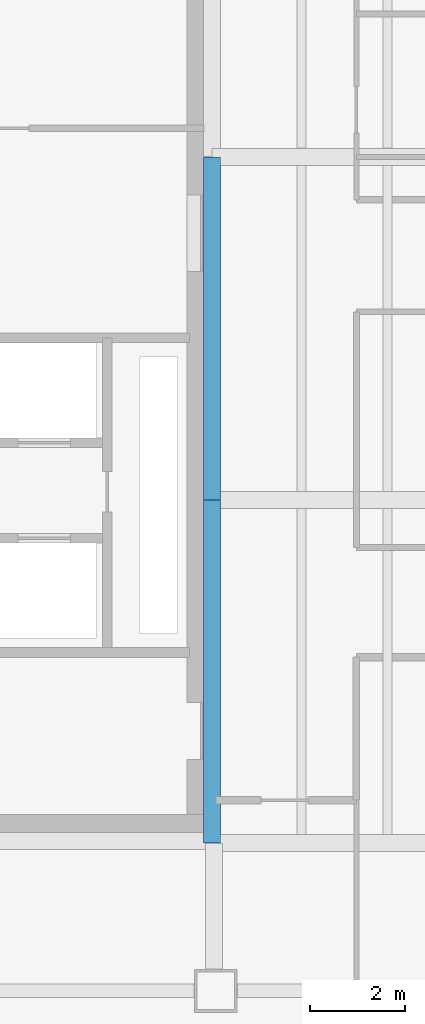
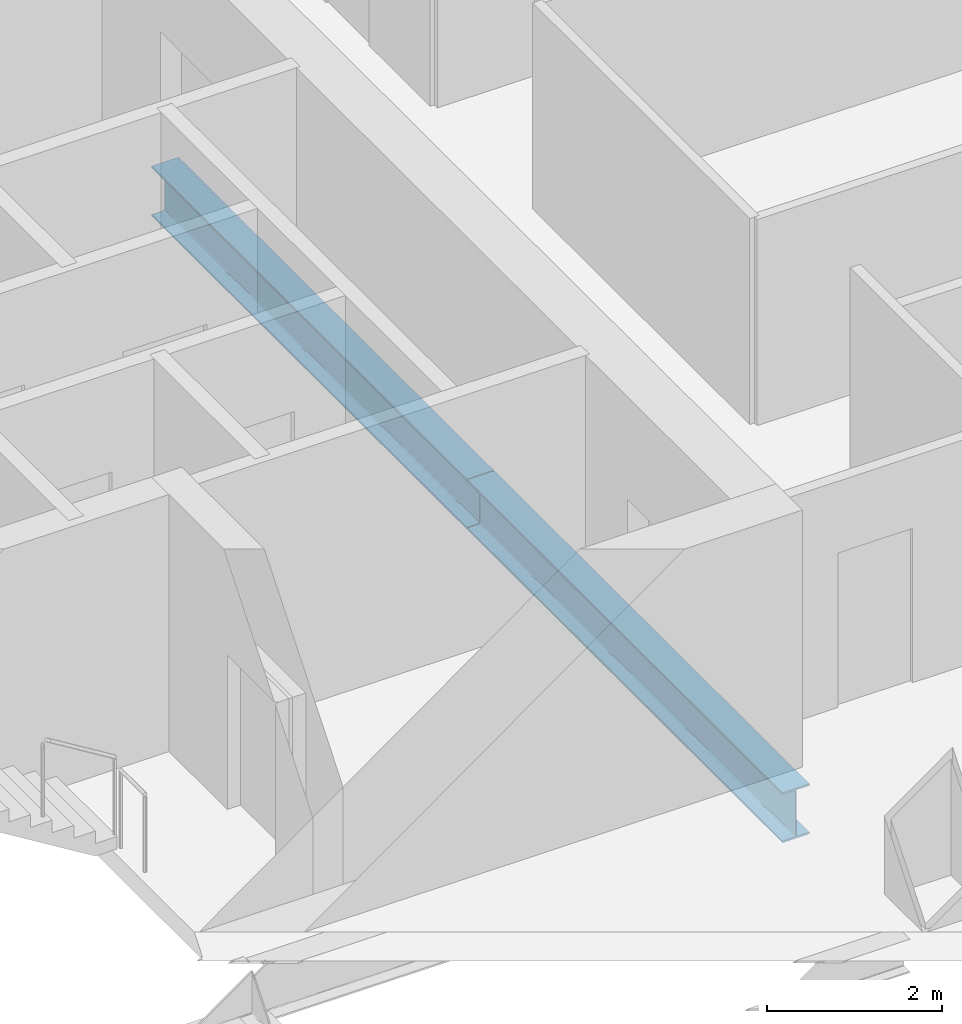
# One storey, part 3 of 23: 2 beams.
"""IFC4 building model written with IfcOpenShell, lengths in metres."""

from ifc_helpers import new_model, si_unit, direction, frame, origin, origin_2d, place, context, subcontext, project, spatial, i_section, extrude, material, material_profile, profile_set, type_object, element, save


model = new_model("IFC4")

# Units and contexts
model_context = context("Model", 3, precision=1e-05, world=origin(), true_north=direction((0.0, 1.0)))
body_context = subcontext(model_context, "Body", "Model", "MODEL_VIEW")
ifc_project = project(units=[si_unit("LENGTHUNIT", "METRE"), si_unit("AREAUNIT", "SQUARE_METRE"), si_unit("VOLUMEUNIT", "CUBIC_METRE"), si_unit("PLANEANGLEUNIT", "RADIAN"), si_unit("MASSUNIT", "GRAM", prefix="KILO")], contexts=[model_context])

# Site, building, storey
site_placement = place(None, origin())
site = spatial("IfcSite", under=ifc_project, at=site_placement, CompositionType="ELEMENT")
building_placement = place(site_placement, origin())
building = spatial("IfcBuilding", under=site, at=building_placement, Name="Cobrela Telecom Tower", CompositionType="ELEMENT")
storey_placement = place(building_placement, frame((0.0, 0.0, 129.14990234375)))
storey = spatial("IfcBuildingStorey", under=building, at=storey_placement, Name="L32", CompositionType="ELEMENT", Elevation=129.14990234375)

# Beams
ifc_material = material(Name="Steel ASTM A992 Grade 50", Category="steel")
ifc_material_profile = material_profile(ifc_material, i_section(OverallWidth=0.35595703125, OverallDepth=0.696044921875, WebThickness=0.015380859375, FlangeThickness=0.024658203125, FilletRadius=0.01806640625, at=origin_2d()), Name="W27X146")
ifc_profile_set = profile_set([ifc_material_profile], Name="Steel ASTM A992 Grade 50")
beam_type = type_object("IfcBeamType", Name="BM-GIRD-05", PredefinedType="USERDEFINED", material=ifc_profile_set)
for number, where, z_axis, x_axis, name in (
    (1, (14.320068359375, 7.205078125, -0.617919921875), (0.0, 1.0, 0.0), (-1.0, 0.0, 0.0), "L32 Primary Girder Y34"),
    (2, (14.320068359375, 14.405029296875, -0.617919921875), (0.0, 1.0, 0.0), (-1.0, 0.0, 0.0), "L32 Primary Girder Y35"),
):
    element("IfcBeam", number, at=place(storey_placement, frame(where, z_axis=z_axis, x_axis=x_axis)), inside=storey, type_object=beam_type, Name=name, ObjectType="GIRDER", PredefinedType="USERDEFINED", context=body_context, shape_type="SweptSolid", body=[
        extrude(i_section(OverallWidth=0.35595703125, OverallDepth=0.696044921875, WebThickness=0.015380859375, FlangeThickness=0.024658203125, FilletRadius=0.01806640625, at=origin_2d()), origin(), (0.0, 0.0, 1.0), 7.18994140625),
    ])

save(model, "model.ifc")
